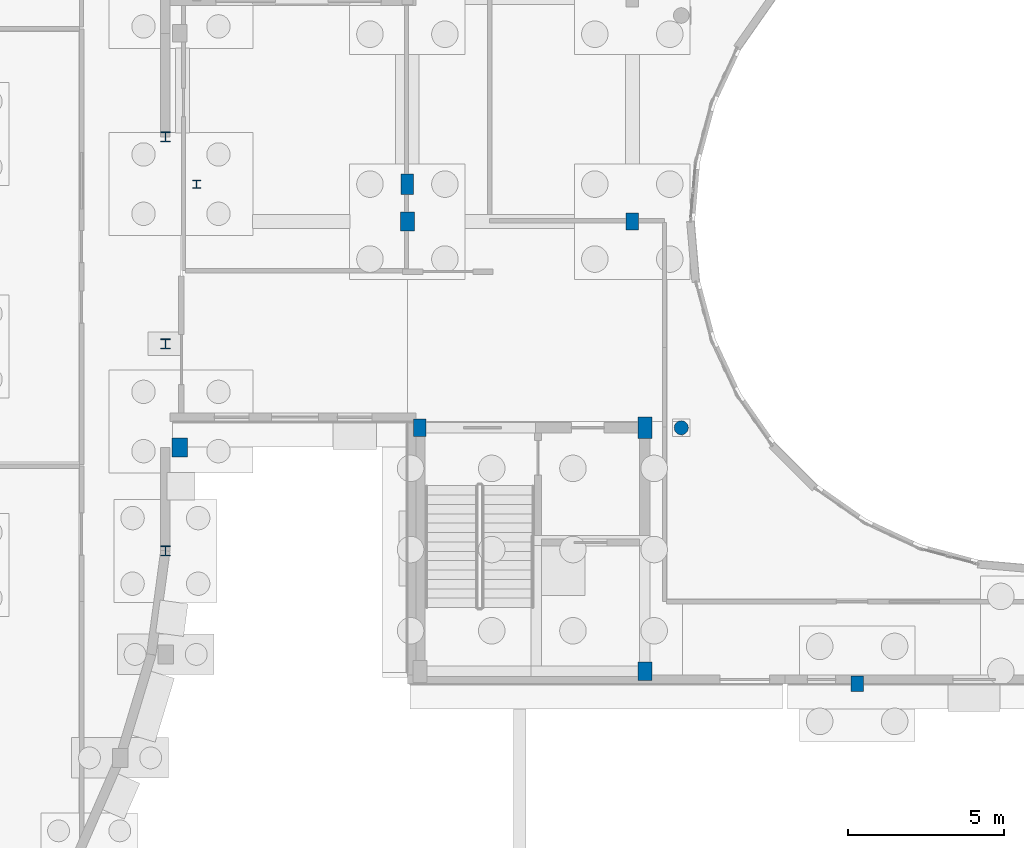
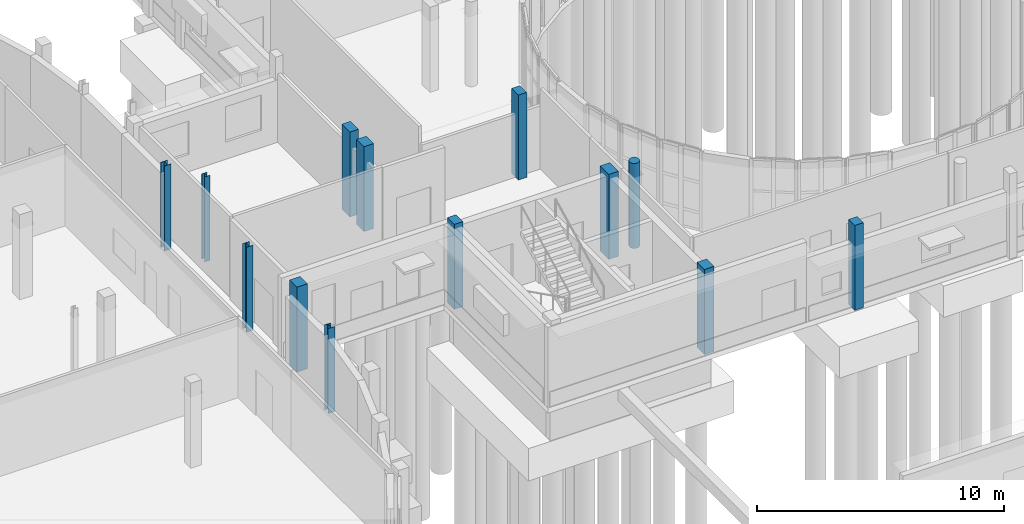
# One storey, part 15 of 93: 13 columns.
"""IFC4 building model written with IfcOpenShell, lengths in metres."""

from ifc_helpers import new_model, si_unit, direction, frame, origin, origin_2d, place, context, subcontext, project, spatial, rectangle, circle, i_section, extrude, material, material_profile, profile_set, type_object, element, save


model = new_model("IFC4")

# Units and contexts
model_context = context("Model", 3, precision=1e-05, world=origin(), true_north=direction((0.0, 1.0)))
body_context = subcontext(model_context, "Body", "Model", "MODEL_VIEW")
ifc_project = project(units=[si_unit("LENGTHUNIT", "METRE"), si_unit("AREAUNIT", "SQUARE_METRE"), si_unit("VOLUMEUNIT", "CUBIC_METRE"), si_unit("PLANEANGLEUNIT", "RADIAN"), si_unit("MASSUNIT", "GRAM", prefix="KILO")], contexts=[model_context])

# Site, building, storey
site_placement = place(None, origin())
site = spatial("IfcSite", under=ifc_project, at=site_placement, CompositionType="ELEMENT")
building_placement = place(site_placement, origin())
building = spatial("IfcBuilding", under=site, at=building_placement, Name="Kelanivale Promenade Academy", CompositionType="ELEMENT")
storey_placement = place(building_placement, origin())
storey = spatial("IfcBuildingStorey", under=building, at=storey_placement, Name="L00", CompositionType="ELEMENT", Elevation=0.0)

# Columns
ifc_material_1 = material(Name="Concrete C40/50", Category="concrete")
ifc_material_profile_1 = material_profile(ifc_material_1, rectangle(XDim=0.39990234375, YDim=0.550048828125, at=origin_2d()), Name="RC-COL 400x550")
ifc_profile_set_1 = profile_set([ifc_material_profile_1], Name="Concrete C40/50")
column_type_1 = type_object("IfcColumnType", Name="C-07 RC-COL 400x550", PredefinedType="COLUMN", material=ifc_profile_set_1)
for number, where, z_axis, x_axis, name in (
    (1, (43.60009765625, 50.199951171875, 0.0), (0.0, 0.0, 1.0), (1.0, 0.0, 0.0), "Column C-07 at (43.6, 50.2) L00"),
    (2, (50.39990234375, 56.800048828125, 0.0), (0.0, 0.0, 1.0), (1.0, 0.0, 0.0), "Column C-07 at (50.4, 56.8) L00"),
):
    element("IfcColumn", number, at=place(storey_placement, frame(where, z_axis=z_axis, x_axis=x_axis)), inside=storey, type_object=column_type_1, Name=name, PredefinedType="COLUMN", context=body_context, shape_type="SweptSolid", body=[
        extrude(rectangle(XDim=0.39990234375, YDim=0.550048828125, at=origin_2d()), origin(), (0.0, 0.0, 1.0), 4.199951171875),
    ])
ifc_material_profile_2 = material_profile(ifc_material_1, rectangle(XDim=0.39990234375, YDim=0.64990234375, at=origin_2d()), Name="RC-COL 400x650")
ifc_profile_set_2 = profile_set([ifc_material_profile_2], Name="Concrete C40/50")
column_type_2 = type_object("IfcColumnType", Name="C-08 RC-COL 400x650", PredefinedType="COLUMN", material=ifc_profile_set_2)
column_1_placement = place(storey_placement, frame((43.199951171875, 58.0, 0.0), z_axis=(0.0, 0.0, 1.0), x_axis=(1.0, 0.0, 0.0)))
element("IfcColumn", 3, at=column_1_placement, inside=storey, type_object=column_type_2, Name="Column C-08 at (43.2, 58.0) L00", PredefinedType="COLUMN", context=body_context, shape_type="SweptSolid", body=[
    extrude(rectangle(XDim=0.39990234375, YDim=0.64990234375, at=origin_2d()), origin(), (0.0, 0.0, 1.0), 4.199951171875),
])
ifc_material_profile_3 = material_profile(ifc_material_1, rectangle(XDim=0.449951171875, YDim=0.60009765625, at=origin_2d()), Name="RC-COL 450x600")
ifc_profile_set_3 = profile_set([ifc_material_profile_3], Name="Concrete C40/50")
column_type_3 = type_object("IfcColumnType", Name="C-09 RC-COL 450x600", PredefinedType="COLUMN", material=ifc_profile_set_3)
for number, where, z_axis, x_axis, name in (
    (4, (43.199951171875, 56.800048828125, 0.0), (0.0, 0.0, 1.0), (1.0, 0.0, 0.0), "Column C-09 at (43.2, 56.8) L00"),
    (5, (50.800048828125, 42.39990234375, 0.0), (0.0, 0.0, 1.0), (1.0, 0.0, 0.0), "Column C-09 at (50.8, 42.4) L00"),
):
    element("IfcColumn", number, at=place(storey_placement, frame(where, z_axis=z_axis, x_axis=x_axis)), inside=storey, type_object=column_type_3, Name=name, PredefinedType="COLUMN", context=body_context, shape_type="SweptSolid", body=[
        extrude(rectangle(XDim=0.449951171875, YDim=0.60009765625, at=origin_2d()), origin(), (0.0, 0.0, 1.0), 4.199951171875),
    ])
ifc_material_profile_4 = material_profile(ifc_material_1, rectangle(XDim=0.449951171875, YDim=0.699951171875, at=origin_2d()), Name="RC-COL 450x700")
ifc_profile_set_4 = profile_set([ifc_material_profile_4], Name="Concrete C40/50")
column_type_4 = type_object("IfcColumnType", Name="C-10 RC-COL 450x700", PredefinedType="COLUMN", material=ifc_profile_set_4)
column_2_placement = place(storey_placement, frame((50.800048828125, 50.199951171875, 0.0), z_axis=(0.0, 0.0, 1.0), x_axis=(1.0, 0.0, 0.0)))
element("IfcColumn", 6, at=column_2_placement, inside=storey, type_object=column_type_4, Name="Column C-10 at (50.8, 50.2) L00", PredefinedType="COLUMN", context=body_context, shape_type="SweptSolid", body=[
    extrude(rectangle(XDim=0.449951171875, YDim=0.699951171875, at=origin_2d()), origin(), (0.0, 0.0, 1.0), 4.199951171875),
])
ifc_material_profile_5 = material_profile(ifc_material_1, circle(Radius=0.22509765625, at=origin_2d()), Name="RC-COL D450")
ifc_profile_set_5 = profile_set([ifc_material_profile_5], Name="Concrete C40/50")
column_type_5 = type_object("IfcColumnType", Name="CC-19 RC-COL D450", PredefinedType="COLUMN", material=ifc_profile_set_5)
column_3_placement = place(storey_placement, frame((51.968017578125, 50.199951171875, 0.0), z_axis=(0.0, 0.0, 1.0), x_axis=(1.0, 0.0, 0.0)))
element("IfcColumn", 7, at=column_3_placement, inside=storey, type_object=column_type_5, Name="Column CC-19 at (52.0, 50.2) L00", PredefinedType="COLUMN", context=body_context, shape_type="SweptSolid", body=[
    extrude(circle(Radius=0.22509765625, at=origin_2d()), origin(), (0.0, 0.0, 1.0), 4.199951171875),
])
ifc_material_profile_6 = material_profile(ifc_material_1, rectangle(XDim=0.39990234375, YDim=0.5, at=origin_2d()), Name="RC-PIL 400x500")
ifc_profile_set_6 = profile_set([ifc_material_profile_6], Name="Concrete C40/50")
column_type_6 = type_object("IfcColumnType", Name="PL-16 RC-PIL 400x500", PredefinedType="PILASTER", material=ifc_profile_set_6)
column_4_placement = place(storey_placement, frame((57.60009765625, 42.0, 0.0), z_axis=(0.0, 0.0, 1.0), x_axis=(1.0, 0.0, 0.0)))
element("IfcColumn", 8, at=column_4_placement, inside=storey, type_object=column_type_6, Name="Column PL-16 at (57.6, 42.0) L00", PredefinedType="PILASTER", context=body_context, shape_type="SweptSolid", body=[
    extrude(rectangle(XDim=0.39990234375, YDim=0.5, at=origin_2d()), origin(), (0.0, 0.0, 1.0), 4.199951171875),
])
ifc_material_profile_7 = material_profile(ifc_material_1, rectangle(XDim=0.5, YDim=0.60009765625, at=origin_2d()), Name="RC-PIL 500x600")
ifc_profile_set_7 = profile_set([ifc_material_profile_7], Name="Concrete C40/50")
column_type_7 = type_object("IfcColumnType", Name="PL-18 RC-PIL 500x600", PredefinedType="PILASTER", material=ifc_profile_set_7)
column_5_placement = place(storey_placement, frame((35.909912109375, 49.571044921875, 0.0), z_axis=(0.0, 0.0, 1.0), x_axis=(1.0, 0.0, 0.0)))
element("IfcColumn", 9, at=column_5_placement, inside=storey, type_object=column_type_7, Name="Column PL-18 at (35.9, 49.6) L00", PredefinedType="PILASTER", context=body_context, shape_type="SweptSolid", body=[
    extrude(rectangle(XDim=0.5, YDim=0.60009765625, at=origin_2d()), origin(), (0.0, 0.0, 1.0), 4.199951171875),
])
ifc_material_2 = material(Name="Steel S355", Category="steel")
ifc_material_profile_8 = material_profile(ifc_material_2, i_section(OverallWidth=0.254638671875, OverallDepth=0.254150390625, WebThickness=0.008544921875, FlangeThickness=0.01416015625, FilletRadius=0.0126953125, at=origin_2d()), Name="UC 254x254x73")
ifc_profile_set_8 = profile_set([ifc_material_profile_8], Name="Steel S355")
column_type_8 = type_object("IfcColumnType", Name="SC-02 UC 254x254x73", PredefinedType="COLUMN", material=ifc_profile_set_8)
column_6_placement = place(storey_placement, frame((36.449951171875, 58.0, 0.0), z_axis=(0.0, 0.0, 1.0), x_axis=(1.0, 0.0, 0.0)))
element("IfcColumn", 10, at=column_6_placement, inside=storey, type_object=column_type_8, Name="Column SC-02 at (36.5, 58.0) L00", PredefinedType="COLUMN", context=body_context, shape_type="SweptSolid", body=[
    extrude(i_section(OverallWidth=0.254638671875, OverallDepth=0.254150390625, WebThickness=0.008544921875, FlangeThickness=0.01416015625, FilletRadius=0.0126953125, at=origin_2d()), origin(), (0.0, 0.0, 1.0), 4.199951171875),
])
ifc_material_profile_9 = material_profile(ifc_material_2, i_section(OverallWidth=0.307373046875, OverallDepth=0.314453125, WebThickness=0.011962890625, FlangeThickness=0.018798828125, FilletRadius=0.01513671875, at=origin_2d()), Name="UC 305x305x118")
ifc_profile_set_9 = profile_set([ifc_material_profile_9], Name="Steel S355")
column_type_9 = type_object("IfcColumnType", Name="SC-04 UC 305x305x118", PredefinedType="COLUMN", material=ifc_profile_set_9)
for number, where, z_axis, x_axis, name in (
    (11, (35.449951171875, 46.257080078125, 0.0), (0.0, 0.0, 1.0), (1.0, 0.0, 0.0), "Column SC-04 at (35.5, 46.3) L00"),
    (12, (35.449951171875, 52.885986328125, 0.0), (0.0, 0.0, 1.0), (1.0, 0.0, 0.0), "Column SC-04 at (35.5, 52.9) L00"),
    (13, (35.449951171875, 59.513916015625, 0.0), (0.0, 0.0, 1.0), (1.0, 0.0, 0.0), "Column SC-04 at (35.5, 59.5) L00"),
):
    element("IfcColumn", number, at=place(storey_placement, frame(where, z_axis=z_axis, x_axis=x_axis)), inside=storey, type_object=column_type_9, Name=name, PredefinedType="COLUMN", context=body_context, shape_type="SweptSolid", body=[
        extrude(i_section(OverallWidth=0.307373046875, OverallDepth=0.314453125, WebThickness=0.011962890625, FlangeThickness=0.018798828125, FilletRadius=0.01513671875, at=origin_2d()), origin(), (0.0, 0.0, 1.0), 4.199951171875),
    ])

save(model, "model.ifc")
